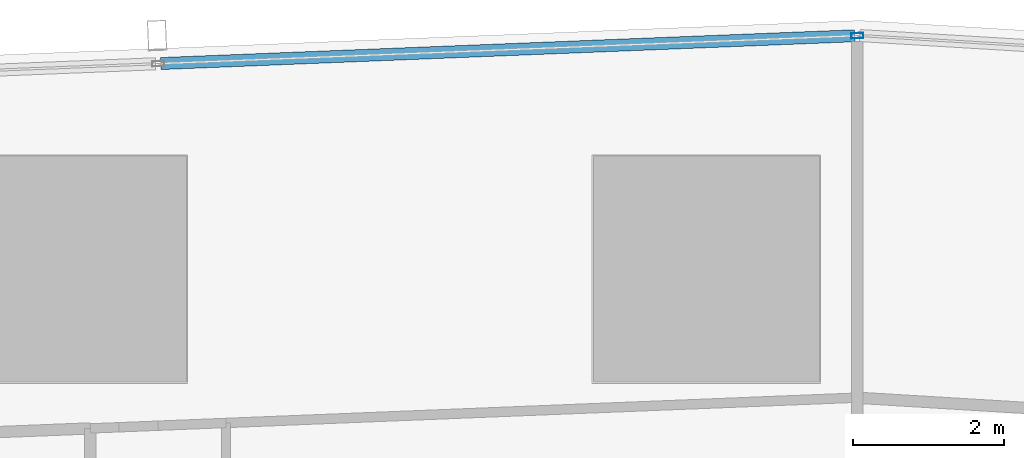
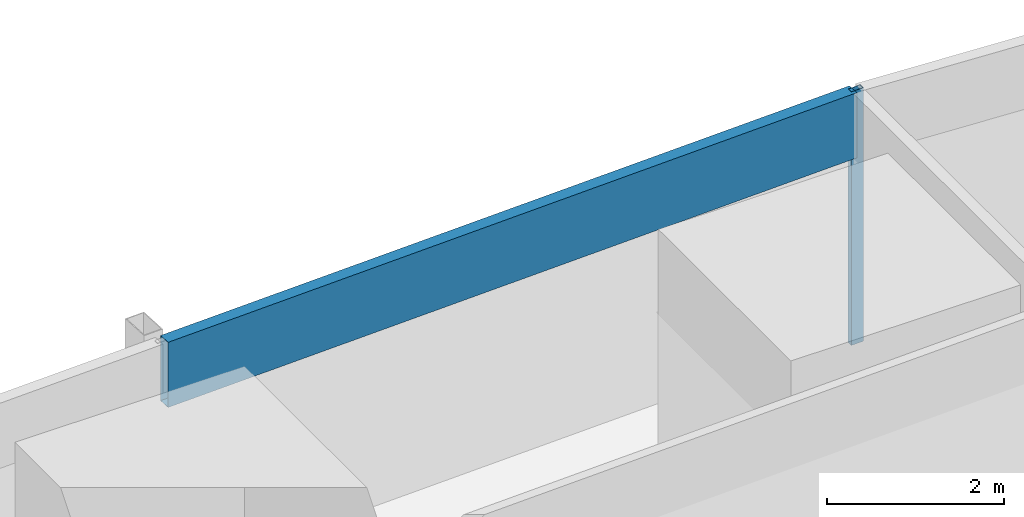
# One storey, part 21 of 39: 2 members, 1 element without a shape of its own.
"""IFC4 building model written with IfcOpenShell, lengths in metres."""

from ifc_helpers import new_model, si_unit, direction, frame, origin, origin_2d, place, context, subcontext, project, spatial, hollow_rectangle, extrude, material, material_profile, profile_set, type_object, element, aggregate, save


model = new_model("IFC4")

# Units and contexts
model_context = context("Model", 3, precision=1e-05, world=origin(), true_north=direction((0.0, 1.0)))
body_context = subcontext(model_context, "Body", "Model", "MODEL_VIEW")
ifc_project = project(units=[si_unit("LENGTHUNIT", "METRE"), si_unit("AREAUNIT", "SQUARE_METRE"), si_unit("VOLUMEUNIT", "CUBIC_METRE"), si_unit("PLANEANGLEUNIT", "RADIAN"), si_unit("MASSUNIT", "GRAM", prefix="KILO")], contexts=[model_context])

# Site, building, storey
site_placement = place(None, origin())
site = spatial("IfcSite", under=ifc_project, at=site_placement, CompositionType="ELEMENT")
building_placement = place(site_placement, origin())
building = spatial("IfcBuilding", under=site, at=building_placement, Name="Rekha Terrace Tower", CompositionType="ELEMENT")
storey_placement = place(building_placement, frame((0.0, 0.0, 155.300048828125)))
storey = spatial("IfcBuildingStorey", under=building, at=storey_placement, Name="L39", CompositionType="ELEMENT", Elevation=155.300048828125)

# Curtain wall, members
ifc_material_1 = material(Name="Aluminium framing", Category="aluminium")
curtain_wall_type = type_object("IfcCurtainWallType", Name="CW3 north unitised glazing", PredefinedType="USERDEFINED", material=ifc_material_1)
curtain_wall_placement = place(storey_placement, origin())
curtain_wall = element("IfcCurtainWall", 1, at=curtain_wall_placement, inside=storey, type_object=curtain_wall_type, Name="CW3 unitised curtain wall", ObjectType="UNITISED CURTAIN WALL", PredefinedType="USERDEFINED")
ifc_material_2 = material(Name="Aluminium mullion section", Category="aluminium")
ifc_material_profile_1 = material_profile(ifc_material_2, hollow_rectangle(XDim=0.070068359375, YDim=0.159912109375, WallThickness=0.00390625, at=origin_2d()), Name="AL RHS 70x160")
ifc_profile_set_1 = profile_set([ifc_material_profile_1], Name="Aluminium mullion section")
member_type_1 = type_object("IfcMemberType", Name="CW3 mullion RHS 70 x 160", PredefinedType="MULLION", material=ifc_profile_set_1)
member_1_placement = place(storey_placement, frame((44.0029296875, 61.8984375, 0.0), z_axis=(0.0, 0.0, 1.0), x_axis=(0.040031987119, -0.999198398721, 0.0)))
member_1 = element("IfcMember", 2, at=member_1_placement, type_object=member_type_1, Name="CW3 mullion 1", PredefinedType="MULLION", context=body_context, shape_type="SweptSolid", body=[
    extrude(hollow_rectangle(XDim=0.070068359375, YDim=0.159912109375, WallThickness=0.00390625, at=origin_2d()), origin(), (0.0, 0.0, 1.0), 3.5),
])
ifc_material_3 = material(Name="Insulated aluminium spandrel box", Category="aluminium")
ifc_material_profile_2 = material_profile(ifc_material_3, hollow_rectangle(XDim=0.159912109375, YDim=0.89990234375, WallThickness=0.0029296875, at=origin_2d()), Name="AL SPANDREL BOX 160x900")
ifc_profile_set_2 = profile_set([ifc_material_profile_2], Name="Insulated aluminium spandrel box")
member_type_2 = type_object("IfcMemberType", Name="CW3 spandrel transom 160 x 900", PredefinedType="USERDEFINED", material=ifc_profile_set_2)
member_2_placement = place(storey_placement, frame((43.968017578125, 61.89697265625, 3.050048828125), z_axis=(-0.999198290018, -0.04003470026, 0.0), x_axis=(0.04003470026, -0.999198290018, 0.0)))
member_2 = element("IfcMember", 3, at=member_2_placement, type_object=member_type_2, Name="CW3 spandrel transom 1", ObjectType="TRANSOM", PredefinedType="USERDEFINED", context=body_context, shape_type="SweptSolid", body=[
    extrude(hollow_rectangle(XDim=0.159912109375, YDim=0.89990234375, WallThickness=0.0029296875, at=origin_2d()), origin(), (0.0, 0.0, 1.0), 9.21435546875),
])
aggregate(curtain_wall, [member_1, member_2])

save(model, "model.ifc")
